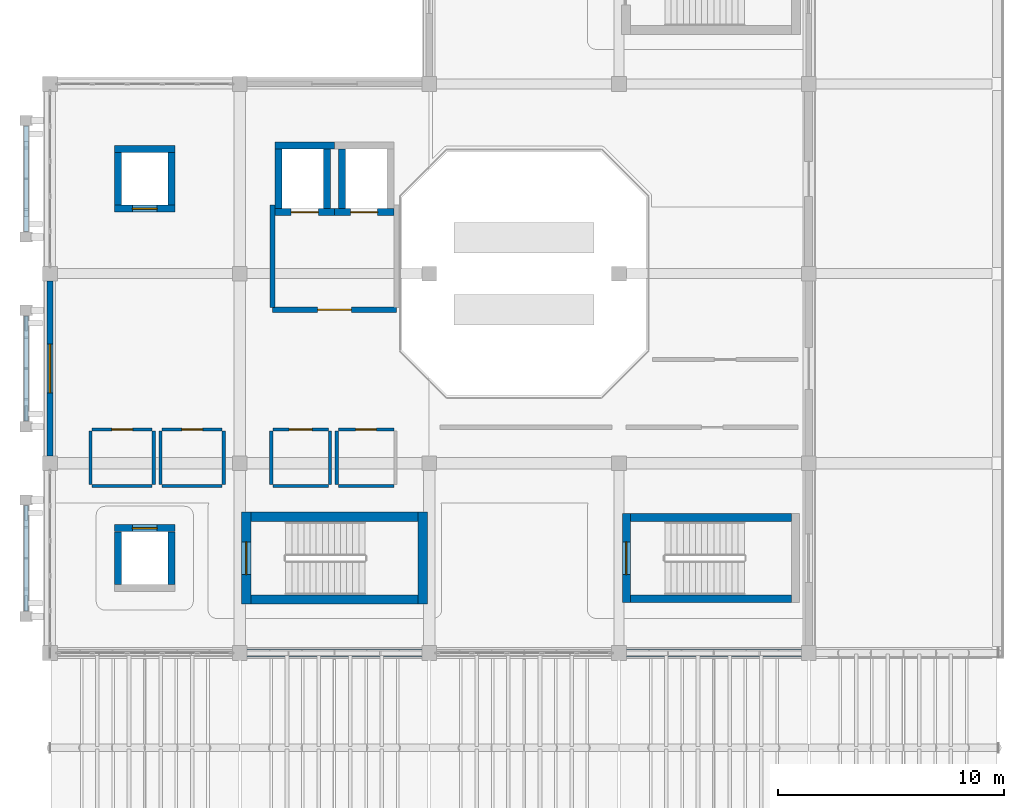
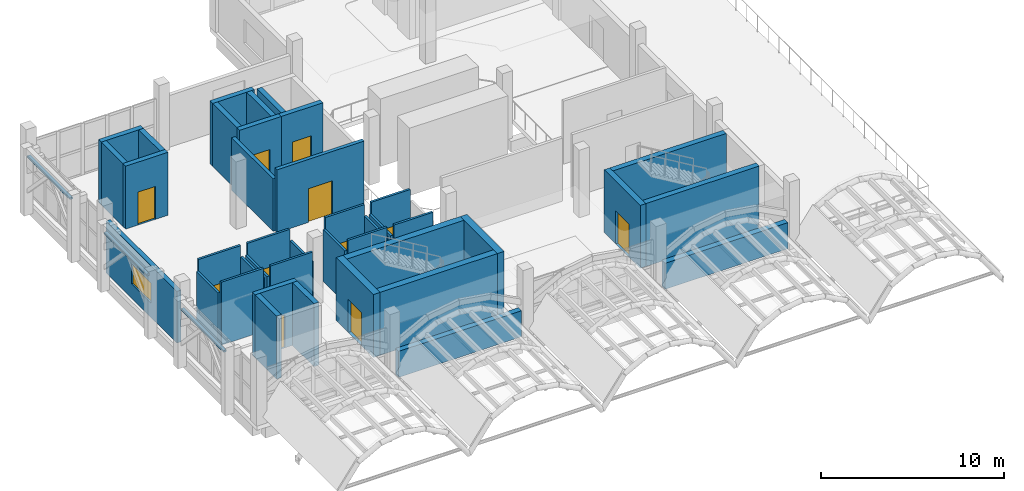
# One storey, part 16 of 22: 43 walls, 11 doors, 1 window, 12 openings.
"""IFC4 building model written with IfcOpenShell, lengths in metres."""

from ifc_helpers import new_model, si_unit, direction, frame, frame_2d, origin, place, context, subcontext, project, spatial, rectangle, extrude, material, layer, layer_set, type_object, element, fill, save


model = new_model("IFC4")

# Units and contexts
model_context = context("Model", 3, precision=1e-05, world=origin(), true_north=direction((0.0, 1.0)))
body_context = subcontext(model_context, "Body", "Model", "MODEL_VIEW")
ifc_project = project(units=[si_unit("LENGTHUNIT", "METRE"), si_unit("AREAUNIT", "SQUARE_METRE"), si_unit("VOLUMEUNIT", "CUBIC_METRE"), si_unit("PLANEANGLEUNIT", "RADIAN"), si_unit("MASSUNIT", "GRAM", prefix="KILO")], contexts=[model_context])

# Site, building, storey
site_placement = place(None, origin())
site = spatial("IfcSite", under=ifc_project, at=site_placement, CompositionType="ELEMENT")
building_placement = place(site_placement, origin())
building = spatial("IfcBuilding", under=site, at=building_placement, Name="Xazarin Passage Department Store", CompositionType="ELEMENT")
storey_placement = place(building_placement, frame((0.0, 0.0, 27.89990234375)))
storey = spatial("IfcBuildingStorey", under=building, at=storey_placement, Name="L06", CompositionType="ELEMENT", Elevation=27.89990234375)

# Wall, opening, window
ifc_material_1 = material(Name="Precast concrete C40/50", Category="concrete")
ifc_layer_1 = layer(ifc_material_1, 0.280029296875)
ifc_layer_set_1 = layer_set([ifc_layer_1], Name="Precast concrete C40/50")
wall_type_1 = type_object("IfcWallType", Name="ARC-W-EXT280", PredefinedType="SOLIDWALL", material=ifc_layer_set_1)
wall_1_placement = place(storey_placement, frame((0.0, 85.125, 0.0), z_axis=(0.0, 0.0, 1.0), x_axis=(0.0, 1.0, 0.0)))
wall_1 = element("IfcWall", 1, at=wall_1_placement, inside=storey, type_object=wall_type_1, Name="L06 V1 Exterior Wall 073", PredefinedType="SOLIDWALL", context=body_context, shape_type="SweptSolid", body=[
    extrude(rectangle(XDim=7.75, YDim=0.280029296875, at=frame_2d((3.875, 0.0))), origin(), (0.0, 0.0, 1.0), 3.4501953125),
])
opening_1_placement = place(wall_1_placement, frame((2.800048828125, 0.0, 0.949951171875)))
opening_1 = element("IfcOpeningElement", 2, at=opening_1_placement, cuts=wall_1, Name="Opening W33", PredefinedType="OPENING", context=body_context, shape_type="SweptSolid", body=[
    extrude(rectangle(XDim=2.14990234375, YDim=1.35009765625, at=frame_2d((1.074951171875, 0.675048828125))), frame((0.0, 0.14990234375, 0.0), z_axis=(0.0, -1.0, 0.0), x_axis=(1.0, 0.0, 0.0)), (0.0, 0.0, 1.0), 0.300048828125),
])
ifc_material_2 = material(Name="Low-E laminated safety glass", Category="glass")
window_type = type_object("IfcWindowType", Name="ARC-WIN-W33", PartitioningType="DOUBLE_PANEL_VERTICAL", PredefinedType="WINDOW", material=ifc_material_2)
window_placement = place(opening_1_placement, origin())
window = element("IfcWindow", 3, at=window_placement, inside=storey, type_object=window_type, Name="L06 V1 Facade Window 0033", OverallHeight=1.35009765625, OverallWidth=2.14990234375, PartitioningType="DOUBLE_PANEL_VERTICAL", PredefinedType="WINDOW", context=body_context, shape_type="SweptSolid", body=[
    extrude(rectangle(XDim=2.14990234375, YDim=1.35009765625, at=frame_2d((1.074951171875, 0.675048828125))), frame((0.0, 0.030029296875, 0.0), z_axis=(0.0, -1.0, 0.0), x_axis=(1.0, 0.0, 0.0)), (0.0, 0.0, 1.0), 0.06005859375),
])
fill(opening_1, window)

# Walls
ifc_material_3 = material(Name="Absheron limestone cladding", Category="masonry")
ifc_layer_2 = layer(ifc_material_3, 0.340087890625)
ifc_layer_set_2 = layer_set([ifc_layer_2], Name="Absheron limestone cladding")
wall_type_2 = type_object("IfcWallType", Name="ARC-W-EXT340", PredefinedType="SOLIDWALL", material=ifc_layer_set_2)
wall_2_placement = place(storey_placement, frame((8.72509765625, 76.39990234375, 0.0), z_axis=(0.0, 0.0, 1.0), x_axis=(1.0, 0.0, 0.0)))
element("IfcWall", 4, at=wall_2_placement, inside=storey, type_object=wall_type_2, Name="L06 V1 Exterior Wall 069", PredefinedType="SOLIDWALL", context=body_context, shape_type="SweptSolid", body=[
    extrude(rectangle(XDim=7.75, YDim=0.340087890625, at=frame_2d((3.875, 0.0))), origin(), (0.0, 0.0, 1.0), 1.739990234375),
])
ifc_layer_3 = layer(ifc_material_3, 0.360107421875)
ifc_layer_set_3 = layer_set([ifc_layer_3], Name="Absheron limestone cladding")
wall_type_3 = type_object("IfcWallType", Name="ARC-W-EXT360", PredefinedType="SOLIDWALL", material=ifc_layer_set_3)
wall_3_placement = place(storey_placement, frame((25.52490234375, 76.39990234375, 0.0), z_axis=(0.0, 0.0, 1.0), x_axis=(1.0, 0.0, 0.0)))
element("IfcWall", 5, at=wall_3_placement, inside=storey, type_object=wall_type_3, Name="L06 V1 Exterior Wall 070", PredefinedType="SOLIDWALL", context=body_context, shape_type="SweptSolid", body=[
    extrude(rectangle(XDim=7.75, YDim=0.360107421875, at=frame_2d((3.875, 0.0))), origin(), (0.0, 0.0, 1.0), 1.739990234375),
])

# Wall, opening, door
ifc_material_4 = material(Name="Concrete C35/45", Category="concrete")
ifc_layer_4 = layer(ifc_material_4, 0.22509765625)
ifc_layer_set_4 = layer_set([ifc_layer_4], Name="Concrete C35/45")
wall_type_4 = type_object("IfcWallType", Name="ARC-W-FIR225", PredefinedType="PARTITIONING", material=ifc_layer_set_4)
wall_4_placement = place(storey_placement, frame((9.85009765625, 91.60009765625, 0.0), z_axis=(0.0, 0.0, 1.0), x_axis=(1.0, 0.0, 0.0)))
wall_4 = element("IfcWall", 6, at=wall_4_placement, inside=storey, type_object=wall_type_4, Name="L06 Firefighting Lift Lobby South Wall 0022", PredefinedType="PARTITIONING", context=body_context, shape_type="SweptSolid", body=[
    extrude(rectangle(XDim=5.5, YDim=0.22509765625, at=frame_2d((2.75, 0.0))), origin(), (0.0, 0.0, 1.0), 4.2001953125),
])
opening_2_placement = place(wall_4_placement, frame((2.0, 0.0, 0.0)))
opening_2 = element("IfcOpeningElement", 7, at=opening_2_placement, cuts=wall_4, Name="Opening FD3", PredefinedType="OPENING", context=body_context, shape_type="SweptSolid", body=[
    extrude(rectangle(XDim=1.5, YDim=2.25, at=frame_2d((0.75, 1.125))), frame((0.0, 0.12255859375, 0.0), z_axis=(0.0, -1.0, 0.0), x_axis=(1.0, 0.0, 0.0)), (0.0, 0.0, 1.0), 0.2451171875),
])
ifc_material_5 = material(Name="Steel S355", Category="steel")
door_type_1 = type_object("IfcDoorType", Name="ARC-DR-FFL150", OperationType="NOTDEFINED", PredefinedType="DOOR", material=ifc_material_5)
door_1_placement = place(opening_2_placement, origin())
door_1 = element("IfcDoor", 8, at=door_1_placement, inside=storey, type_object=door_type_1, Name="DR-INT-L06-0022", OperationType="SINGLE_SWING_LEFT", OverallHeight=2.25, OverallWidth=1.5, PredefinedType="DOOR", context=body_context, shape_type="SweptSolid", body=[
    extrude(rectangle(XDim=1.5, YDim=2.25, at=frame_2d((0.75, 1.125))), frame((0.0, 0.02490234375, 0.0), z_axis=(0.0, -1.0, 0.0), x_axis=(1.0, 0.0, 0.0)), (0.0, 0.0, 1.0), 0.050048828125),
])
fill(opening_2, door_1)

# Walls
wall_5_placement = place(storey_placement, frame((9.85009765625, 91.7099609375, 0.0), z_axis=(0.0, 0.0, 1.0), x_axis=(0.0, 1.0, 0.0)))
element("IfcWall", 9, at=wall_5_placement, inside=storey, type_object=wall_type_4, Name="L06 Firefighting Lift Lobby West Wall 0023", PredefinedType="PARTITIONING", context=body_context, shape_type="SweptSolid", body=[
    extrude(rectangle(XDim=4.530029296875, YDim=0.22509765625, at=frame_2d((2.26513671875, 0.0))), origin(), (0.0, 0.0, 1.0), 3.5),
])
ifc_layer_5 = layer(ifc_material_1, 0.18994140625)
ifc_layer_set_5 = layer_set([ifc_layer_5], Name="Precast concrete C40/50")
wall_type_5 = type_object("IfcWallType", Name="ARC-W-PAR190", PredefinedType="PARAPET", material=ifc_layer_set_5)
wall_6_placement = place(storey_placement, frame((-1.050048828125, 78.27001953125, 3.880126953125), z_axis=(0.0, 0.0, 1.0), x_axis=(0.0, 1.0, 0.0)))
element("IfcWall", 10, at=wall_6_placement, inside=storey, type_object=wall_type_5, Name="L06 V1 Pierced-Arch Spandrel Lintel 0053", PredefinedType="PARAPET", context=body_context, shape_type="SweptSolid", body=[
    extrude(rectangle(XDim=4.659912109375, YDim=0.18994140625, at=frame_2d((2.330078125, 0.0))), origin(), (0.0, 0.0, 1.0), 0.119873046875),
])
wall_7_placement = place(storey_placement, frame((-1.050048828125, 86.669921875, 3.880126953125), z_axis=(0.0, 0.0, 1.0), x_axis=(0.0, 1.0, 0.0)))
element("IfcWall", 11, at=wall_7_placement, inside=storey, type_object=wall_type_5, Name="L06 V1 Pierced-Arch Spandrel Lintel 0061", PredefinedType="PARAPET", context=body_context, shape_type="SweptSolid", body=[
    extrude(rectangle(XDim=4.66015625, YDim=0.18994140625, at=frame_2d((2.330078125, 0.0))), origin(), (0.0, 0.0, 1.0), 0.119873046875),
])
wall_8_placement = place(storey_placement, frame((-1.050048828125, 95.070068359375, 3.880126953125), z_axis=(0.0, 0.0, 1.0), x_axis=(0.0, 1.0, 0.0)))
element("IfcWall", 12, at=wall_8_placement, inside=storey, type_object=wall_type_5, Name="L06 V1 Pierced-Arch Spandrel Lintel 0069", PredefinedType="PARAPET", context=body_context, shape_type="SweptSolid", body=[
    extrude(rectangle(XDim=4.659912109375, YDim=0.18994140625, at=frame_2d((2.330078125, 0.0))), origin(), (0.0, 0.0, 1.0), 0.119873046875),
])

# Wall, opening, door
ifc_material_6 = material(Name="Moisture-resistant masonry partition", Category="masonry")
ifc_layer_6 = layer(ifc_material_6, 0.139892578125)
ifc_layer_set_6 = layer_set([ifc_layer_6], Name="Moisture-resistant masonry partition")
wall_type_6 = type_object("IfcWallType", Name="ARC-W-PRT140", PredefinedType="PARTITIONING", material=ifc_layer_set_6)
wall_9_placement = place(storey_placement, frame((1.8701171875, 86.300048828125, 0.0), z_axis=(0.0, 0.0, 1.0), x_axis=(1.0, 0.0, 0.0)))
wall_9 = element("IfcWall", 13, at=wall_9_placement, inside=storey, type_object=wall_type_6, Name="L06 Public Male WC 0272", PredefinedType="PARTITIONING", context=body_context, shape_type="SweptSolid", body=[
    extrude(rectangle(XDim=2.659912109375, YDim=0.139892578125, at=frame_2d((1.330078125, 0.0))), origin(), (0.0, 0.0, 1.0), 4.2001953125),
])
opening_3_placement = place(wall_9_placement, frame((0.8701171875, 0.0, 0.0)))
opening_3 = element("IfcOpeningElement", 14, at=opening_3_placement, cuts=wall_9, Name="Opening ID1", PredefinedType="OPENING", context=body_context, shape_type="SweptSolid", body=[
    extrude(rectangle(XDim=0.919921875, YDim=2.1201171875, at=frame_2d((0.4599609375, 1.06005859375))), frame((0.0, 0.079833984375, 0.0), z_axis=(0.0, -1.0, 0.0), x_axis=(1.0, 0.0, 0.0)), (0.0, 0.0, 1.0), 0.159912109375),
])
ifc_material_7 = material(Name="Timber acoustic leaf", Category="wood")
door_type_2 = type_object("IfcDoorType", Name="ARC-DR-WC092", OperationType="NOTDEFINED", PredefinedType="DOOR", material=ifc_material_7)
door_2_placement = place(opening_3_placement, origin())
door_2 = element("IfcDoor", 15, at=door_2_placement, inside=storey, type_object=door_type_2, Name="DR-INT-L06-0272", OperationType="SINGLE_SWING_LEFT", OverallHeight=2.1201171875, OverallWidth=0.919921875, PredefinedType="DOOR", context=body_context, shape_type="SweptSolid", body=[
    extrude(rectangle(XDim=0.919921875, YDim=2.1201171875, at=frame_2d((0.4599609375, 1.06005859375))), frame((0.0, 0.02490234375, 0.0), z_axis=(0.0, -1.0, 0.0), x_axis=(1.0, 0.0, 0.0)), (0.0, 0.0, 1.0), 0.050048828125),
])
fill(opening_3, door_2)

# Walls
wall_10_placement = place(storey_placement, frame((1.8701171875, 83.800048828125, 0.0), z_axis=(0.0, 0.0, 1.0), x_axis=(1.0, 0.0, 0.0)))
element("IfcWall", 16, at=wall_10_placement, inside=storey, type_object=wall_type_6, Name="L06 Public Male WC Back Wall 0273", PredefinedType="PARTITIONING", context=body_context, shape_type="SweptSolid", body=[
    extrude(rectangle(XDim=2.659912109375, YDim=0.139892578125, at=frame_2d((1.330078125, 0.0))), origin(), (0.0, 0.0, 1.0), 4.2001953125),
])
for number, where, z_axis, x_axis, name in (
    (17, (1.800048828125, 83.8701171875, 0.0), (0.0, 0.0, 1.0), (0.0, 1.0, 0.0), "L06 Public Male WC Side Wall 0274"),
    (18, (4.60009765625, 83.8701171875, 0.0), (0.0, 0.0, 1.0), (0.0, 1.0, 0.0), "L06 Public Male WC Side Wall 0275"),
):
    element("IfcWall", number, at=place(storey_placement, frame(where, z_axis=z_axis, x_axis=x_axis)), inside=storey, type_object=wall_type_6, Name=name, PredefinedType="PARTITIONING", context=body_context, shape_type="SweptSolid", body=[
        extrude(rectangle(XDim=2.35986328125, YDim=0.139892578125, at=frame_2d((1.179931640625, 0.0))), origin(), (0.0, 0.0, 1.0), 3.4501953125),
    ])

# Wall, opening, door
wall_11_placement = place(storey_placement, frame((4.969970703125, 86.300048828125, 0.0), z_axis=(0.0, 0.0, 1.0), x_axis=(1.0, 0.0, 0.0)))
wall_11 = element("IfcWall", 19, at=wall_11_placement, inside=storey, type_object=wall_type_6, Name="L06 Public Female WC 0276", PredefinedType="PARTITIONING", context=body_context, shape_type="SweptSolid", body=[
    extrude(rectangle(XDim=2.659912109375, YDim=0.139892578125, at=frame_2d((1.330078125, 0.0))), origin(), (0.0, 0.0, 1.0), 4.2001953125),
])
opening_4_placement = place(wall_11_placement, frame((0.8701171875, 0.0, 0.0)))
opening_4 = element("IfcOpeningElement", 20, at=opening_4_placement, cuts=wall_11, Name="Opening ID1", PredefinedType="OPENING", context=body_context, shape_type="SweptSolid", body=[
    extrude(rectangle(XDim=0.919921875, YDim=2.1201171875, at=frame_2d((0.4599609375, 1.06005859375))), frame((0.0, 0.079833984375, 0.0), z_axis=(0.0, -1.0, 0.0), x_axis=(1.0, 0.0, 0.0)), (0.0, 0.0, 1.0), 0.159912109375),
])
door_3_placement = place(opening_4_placement, origin())
door_3 = element("IfcDoor", 21, at=door_3_placement, inside=storey, type_object=door_type_2, Name="DR-INT-L06-0276", OperationType="SINGLE_SWING_RIGHT", OverallHeight=2.1201171875, OverallWidth=0.919921875, PredefinedType="DOOR", context=body_context, shape_type="SweptSolid", body=[
    extrude(rectangle(XDim=0.919921875, YDim=2.1201171875, at=frame_2d((0.4599609375, 1.06005859375))), frame((0.0, 0.02490234375, 0.0), z_axis=(0.0, -1.0, 0.0), x_axis=(1.0, 0.0, 0.0)), (0.0, 0.0, 1.0), 0.050048828125),
])
fill(opening_4, door_3)

# Walls
wall_12_placement = place(storey_placement, frame((4.969970703125, 83.800048828125, 0.0), z_axis=(0.0, 0.0, 1.0), x_axis=(1.0, 0.0, 0.0)))
element("IfcWall", 22, at=wall_12_placement, inside=storey, type_object=wall_type_6, Name="L06 Public Female WC Back Wall 0277", PredefinedType="PARTITIONING", context=body_context, shape_type="SweptSolid", body=[
    extrude(rectangle(XDim=2.659912109375, YDim=0.139892578125, at=frame_2d((1.330078125, 0.0))), origin(), (0.0, 0.0, 1.0), 4.2001953125),
])
for number, where, z_axis, x_axis, name in (
    (23, (4.89990234375, 83.8701171875, 0.0), (0.0, 0.0, 1.0), (0.0, 1.0, 0.0), "L06 Public Female WC Side Wall 0278"),
    (24, (7.699951171875, 83.8701171875, 0.0), (0.0, 0.0, 1.0), (0.0, 1.0, 0.0), "L06 Public Female WC Side Wall 0279"),
):
    element("IfcWall", number, at=place(storey_placement, frame(where, z_axis=z_axis, x_axis=x_axis)), inside=storey, type_object=wall_type_6, Name=name, PredefinedType="PARTITIONING", context=body_context, shape_type="SweptSolid", body=[
        extrude(rectangle(XDim=2.35986328125, YDim=0.139892578125, at=frame_2d((1.179931640625, 0.0))), origin(), (0.0, 0.0, 1.0), 3.4501953125),
    ])

# Wall, opening, door
wall_13_placement = place(storey_placement, frame((9.8701171875, 86.300048828125, 0.0), z_axis=(0.0, 0.0, 1.0), x_axis=(1.0, 0.0, 0.0)))
wall_13 = element("IfcWall", 25, at=wall_13_placement, inside=storey, type_object=wall_type_6, Name="L06 Accessible WC 0280", PredefinedType="PARTITIONING", context=body_context, shape_type="SweptSolid", body=[
    extrude(rectangle(XDim=2.4599609375, YDim=0.139892578125, at=frame_2d((1.22998046875, 0.0))), origin(), (0.0, 0.0, 1.0), 4.2001953125),
])
opening_5_placement = place(wall_13_placement, frame((0.719970703125, 0.0, 0.0)))
opening_5 = element("IfcOpeningElement", 26, at=opening_5_placement, cuts=wall_13, Name="Opening ID2", PredefinedType="OPENING", context=body_context, shape_type="SweptSolid", body=[
    extrude(rectangle(XDim=1.02001953125, YDim=2.14990234375, at=frame_2d((0.510009765625, 1.074951171875))), frame((0.0, 0.079833984375, 0.0), z_axis=(0.0, -1.0, 0.0), x_axis=(1.0, 0.0, 0.0)), (0.0, 0.0, 1.0), 0.159912109375),
])
door_type_3 = type_object("IfcDoorType", Name="ARC-DR-AWC102", OperationType="NOTDEFINED", PredefinedType="DOOR", material=ifc_material_7)
door_4_placement = place(opening_5_placement, origin())
door_4 = element("IfcDoor", 27, at=door_4_placement, inside=storey, type_object=door_type_3, Name="DR-INT-L06-0280", OperationType="SINGLE_SWING_LEFT", OverallHeight=2.14990234375, OverallWidth=1.02001953125, PredefinedType="DOOR", context=body_context, shape_type="SweptSolid", body=[
    extrude(rectangle(XDim=1.02001953125, YDim=2.14990234375, at=frame_2d((0.510009765625, 1.074951171875))), frame((0.0, 0.02490234375, 0.0), z_axis=(0.0, -1.0, 0.0), x_axis=(1.0, 0.0, 0.0)), (0.0, 0.0, 1.0), 0.050048828125),
])
fill(opening_5, door_4)

# Walls
wall_14_placement = place(storey_placement, frame((9.8701171875, 83.800048828125, 0.0), z_axis=(0.0, 0.0, 1.0), x_axis=(1.0, 0.0, 0.0)))
element("IfcWall", 28, at=wall_14_placement, inside=storey, type_object=wall_type_6, Name="L06 Accessible WC Back Wall 0281", PredefinedType="PARTITIONING", context=body_context, shape_type="SweptSolid", body=[
    extrude(rectangle(XDim=2.4599609375, YDim=0.139892578125, at=frame_2d((1.22998046875, 0.0))), origin(), (0.0, 0.0, 1.0), 4.2001953125),
])
for number, where, z_axis, x_axis, name in (
    (29, (9.800048828125, 83.8701171875, 0.0), (0.0, 0.0, 1.0), (0.0, 1.0, 0.0), "L06 Accessible WC Side Wall 0282"),
    (30, (12.39990234375, 83.8701171875, 0.0), (0.0, 0.0, 1.0), (0.0, 1.0, 0.0), "L06 Accessible WC Side Wall 0283"),
):
    element("IfcWall", number, at=place(storey_placement, frame(where, z_axis=z_axis, x_axis=x_axis)), inside=storey, type_object=wall_type_6, Name=name, PredefinedType="PARTITIONING", context=body_context, shape_type="SweptSolid", body=[
        extrude(rectangle(XDim=2.35986328125, YDim=0.139892578125, at=frame_2d((1.179931640625, 0.0))), origin(), (0.0, 0.0, 1.0), 3.4501953125),
    ])

# Wall, opening, door
wall_15_placement = place(storey_placement, frame((12.77001953125, 86.300048828125, 0.0), z_axis=(0.0, 0.0, 1.0), x_axis=(1.0, 0.0, 0.0)))
wall_15 = element("IfcWall", 31, at=wall_15_placement, inside=storey, type_object=wall_type_6, Name="L06 Staff WC 0284", PredefinedType="PARTITIONING", context=body_context, shape_type="SweptSolid", body=[
    extrude(rectangle(XDim=2.4599609375, YDim=0.139892578125, at=frame_2d((1.22998046875, 0.0))), origin(), (0.0, 0.0, 1.0), 4.2001953125),
])
opening_6_placement = place(wall_15_placement, frame((0.77001953125, 0.0, 0.0)))
opening_6 = element("IfcOpeningElement", 32, at=opening_6_placement, cuts=wall_15, Name="Opening ID1", PredefinedType="OPENING", context=body_context, shape_type="SweptSolid", body=[
    extrude(rectangle(XDim=0.919921875, YDim=2.1201171875, at=frame_2d((0.4599609375, 1.06005859375))), frame((0.0, 0.079833984375, 0.0), z_axis=(0.0, -1.0, 0.0), x_axis=(1.0, 0.0, 0.0)), (0.0, 0.0, 1.0), 0.159912109375),
])
door_5_placement = place(opening_6_placement, origin())
door_5 = element("IfcDoor", 33, at=door_5_placement, inside=storey, type_object=door_type_2, Name="DR-INT-L06-0284", OperationType="SINGLE_SWING_RIGHT", OverallHeight=2.1201171875, OverallWidth=0.919921875, PredefinedType="DOOR", context=body_context, shape_type="SweptSolid", body=[
    extrude(rectangle(XDim=0.919921875, YDim=2.1201171875, at=frame_2d((0.4599609375, 1.06005859375))), frame((0.0, 0.02490234375, 0.0), z_axis=(0.0, -1.0, 0.0), x_axis=(1.0, 0.0, 0.0)), (0.0, 0.0, 1.0), 0.050048828125),
])
fill(opening_6, door_5)

# Walls
wall_16_placement = place(storey_placement, frame((12.77001953125, 83.800048828125, 0.0), z_axis=(0.0, 0.0, 1.0), x_axis=(1.0, 0.0, 0.0)))
element("IfcWall", 34, at=wall_16_placement, inside=storey, type_object=wall_type_6, Name="L06 Staff WC Back Wall 0285", PredefinedType="PARTITIONING", context=body_context, shape_type="SweptSolid", body=[
    extrude(rectangle(XDim=2.4599609375, YDim=0.139892578125, at=frame_2d((1.22998046875, 0.0))), origin(), (0.0, 0.0, 1.0), 4.2001953125),
])
wall_17_placement = place(storey_placement, frame((12.699951171875, 83.8701171875, 0.0), z_axis=(0.0, 0.0, 1.0), x_axis=(0.0, 1.0, 0.0)))
element("IfcWall", 35, at=wall_17_placement, inside=storey, type_object=wall_type_6, Name="L06 Staff WC Side Wall 0286", PredefinedType="PARTITIONING", context=body_context, shape_type="SweptSolid", body=[
    extrude(rectangle(XDim=2.35986328125, YDim=0.139892578125, at=frame_2d((1.179931640625, 0.0))), origin(), (0.0, 0.0, 1.0), 3.4501953125),
])

# Wall, opening, door
ifc_material_8 = material(Name="Concrete C40/50", Category="concrete")
ifc_layer_7 = layer(ifc_material_8, 0.31005859375)
ifc_layer_set_7 = layer_set([ifc_layer_7], Name="Concrete C40/50")
wall_type_7 = type_object("IfcWallType", Name="STR-W-LFT310", PredefinedType="SHEAR", material=ifc_layer_set_7)
wall_18_placement = place(storey_placement, frame((9.969970703125, 95.925048828125, 0.0), z_axis=(0.0, 0.0, 1.0), x_axis=(1.0, 0.0, 0.0)))
wall_18 = element("IfcWall", 36, at=wall_18_placement, inside=storey, type_object=wall_type_7, Name="L06 Lift FL1 Shaft Wall South", PredefinedType="SHEAR", context=body_context, shape_type="SweptSolid", body=[
    extrude(rectangle(XDim=2.630126953125, YDim=0.31005859375, at=frame_2d((1.31494140625, 0.0))), origin(), (0.0, 0.0, 1.0), 4.2001953125),
])
opening_7_placement = place(wall_18_placement, frame((0.715087890625, 0.0, 0.0)))
opening_7 = element("IfcOpeningElement", 37, at=opening_7_placement, cuts=wall_18, Name="Opening LD-FL1-L06", PredefinedType="OPENING", context=body_context, shape_type="SweptSolid", body=[
    extrude(rectangle(XDim=1.199951171875, YDim=2.25, at=frame_2d((0.60009765625, 1.125))), frame((0.0, 0.1650390625, 0.0), z_axis=(0.0, -1.0, 0.0), x_axis=(1.0, 0.0, 0.0)), (0.0, 0.0, 1.0), 0.330078125),
])
door_type_4 = type_object("IfcDoorType", Name="ARC-DR-LD120", OperationType="NOTDEFINED", PredefinedType="DOOR", material=ifc_material_5)
door_6_placement = place(opening_7_placement, origin())
door_6 = element("IfcDoor", 38, at=door_6_placement, inside=storey, type_object=door_type_4, Name="DR-LD-FL1-L06", OperationType="SLIDING_TO_LEFT", OverallHeight=2.25, OverallWidth=1.199951171875, PredefinedType="DOOR", context=body_context, shape_type="SweptSolid", body=[
    extrude(rectangle(XDim=1.199951171875, YDim=2.25, at=frame_2d((0.60009765625, 1.125))), frame((0.0, 0.02490234375, 0.0), z_axis=(0.0, -1.0, 0.0), x_axis=(1.0, 0.0, 0.0)), (0.0, 0.0, 1.0), 0.050048828125),
])
fill(opening_7, door_6)

# Walls
wall_19_placement = place(storey_placement, frame((9.969970703125, 98.875, 0.0), z_axis=(0.0, 0.0, 1.0), x_axis=(1.0, 0.0, 0.0)))
element("IfcWall", 39, at=wall_19_placement, inside=storey, type_object=wall_type_7, Name="L06 Lift FL1 Shaft Wall North", PredefinedType="SHEAR", context=body_context, shape_type="SweptSolid", body=[
    extrude(rectangle(XDim=2.630126953125, YDim=0.31005859375, at=frame_2d((1.31494140625, 0.0))), origin(), (0.0, 0.0, 1.0), 4.2001953125),
])
for number, where, z_axis, x_axis, name in (
    (40, (10.125, 96.080078125, 0.0), (0.0, 0.0, 1.0), (0.0, 1.0, 0.0), "L06 Lift FL1 Shaft Wall West"),
    (41, (12.27490234375, 96.080078125, 0.0), (0.0, 0.0, 1.0), (0.0, 1.0, 0.0), "L06 Lift FL1 Shaft Wall East"),
):
    element("IfcWall", number, at=place(storey_placement, frame(where, z_axis=z_axis, x_axis=x_axis)), inside=storey, type_object=wall_type_7, Name=name, PredefinedType="SHEAR", context=body_context, shape_type="SweptSolid", body=[
        extrude(rectangle(XDim=2.639892578125, YDim=0.31005859375, at=frame_2d((1.31982421875, 0.0))), origin(), (0.0, 0.0, 1.0), 4.2001953125),
    ])

# Wall, opening, door
wall_20_placement = place(storey_placement, frame((12.60009765625, 95.925048828125, 0.0), z_axis=(0.0, 0.0, 1.0), x_axis=(1.0, 0.0, 0.0)))
wall_20 = element("IfcWall", 42, at=wall_20_placement, inside=storey, type_object=wall_type_7, Name="L06 Lift FL2 Shaft Wall South", PredefinedType="SHEAR", context=body_context, shape_type="SweptSolid", body=[
    extrude(rectangle(XDim=2.6298828125, YDim=0.31005859375, at=frame_2d((1.31494140625, 0.0))), origin(), (0.0, 0.0, 1.0), 4.2001953125),
])
opening_8_placement = place(wall_20_placement, frame((0.715087890625, 0.0, 0.0)))
opening_8 = element("IfcOpeningElement", 43, at=opening_8_placement, cuts=wall_20, Name="Opening LD-FL2-L06", PredefinedType="OPENING", context=body_context, shape_type="SweptSolid", body=[
    extrude(rectangle(XDim=1.199951171875, YDim=2.25, at=frame_2d((0.60009765625, 1.125))), frame((0.0, 0.1650390625, 0.0), z_axis=(0.0, -1.0, 0.0), x_axis=(1.0, 0.0, 0.0)), (0.0, 0.0, 1.0), 0.330078125),
])
door_7_placement = place(opening_8_placement, origin())
door_7 = element("IfcDoor", 44, at=door_7_placement, inside=storey, type_object=door_type_4, Name="DR-LD-FL2-L06", OperationType="SLIDING_TO_LEFT", OverallHeight=2.25, OverallWidth=1.199951171875, PredefinedType="DOOR", context=body_context, shape_type="SweptSolid", body=[
    extrude(rectangle(XDim=1.199951171875, YDim=2.25, at=frame_2d((0.60009765625, 1.125))), frame((0.0, 0.02490234375, 0.0), z_axis=(0.0, -1.0, 0.0), x_axis=(1.0, 0.0, 0.0)), (0.0, 0.0, 1.0), 0.050048828125),
])
fill(opening_8, door_7)

# Wall
wall_21_placement = place(storey_placement, frame((12.925048828125, 96.080078125, 0.0), z_axis=(0.0, 0.0, 1.0), x_axis=(0.0, 1.0, 0.0)))
element("IfcWall", 45, at=wall_21_placement, inside=storey, type_object=wall_type_7, Name="L06 Lift FL2 Shaft Wall West", PredefinedType="SHEAR", context=body_context, shape_type="SweptSolid", body=[
    extrude(rectangle(XDim=2.639892578125, YDim=0.31005859375, at=frame_2d((1.31982421875, 0.0))), origin(), (0.0, 0.0, 1.0), 4.2001953125),
])

# Wall, opening, door
wall_22_placement = place(storey_placement, frame((2.8701171875, 81.925048828125, 0.0), z_axis=(0.0, 0.0, 1.0), x_axis=(1.0, 0.0, 0.0)))
wall_22 = element("IfcWall", 46, at=wall_22_placement, inside=storey, type_object=wall_type_7, Name="L06 Lift PL1 Shaft Wall North", PredefinedType="SHEAR", context=body_context, shape_type="SweptSolid", body=[
    extrude(rectangle(XDim=2.659912109375, YDim=0.31005859375, at=frame_2d((1.330078125, 0.0))), origin(), (0.0, 0.0, 1.0), 4.2001953125),
])
opening_9_placement = place(wall_22_placement, frame((0.780029296875, 0.0, 0.0)))
opening_9 = element("IfcOpeningElement", 47, at=opening_9_placement, cuts=wall_22, Name="Opening LD-PL1-L06", PredefinedType="OPENING", context=body_context, shape_type="SweptSolid", body=[
    extrude(rectangle(XDim=1.10009765625, YDim=2.199951171875, at=frame_2d((0.550048828125, 1.10009765625))), frame((0.0, 0.1650390625, 0.0), z_axis=(0.0, -1.0, 0.0), x_axis=(1.0, 0.0, 0.0)), (0.0, 0.0, 1.0), 0.330078125),
])
door_type_5 = type_object("IfcDoorType", Name="ARC-DR-LD110", OperationType="NOTDEFINED", PredefinedType="DOOR", material=ifc_material_5)
door_8_placement = place(opening_9_placement, origin())
door_8 = element("IfcDoor", 48, at=door_8_placement, inside=storey, type_object=door_type_5, Name="DR-LD-PL1-L06", OperationType="SLIDING_TO_LEFT", OverallHeight=2.199951171875, OverallWidth=1.10009765625, PredefinedType="DOOR", context=body_context, shape_type="SweptSolid", body=[
    extrude(rectangle(XDim=1.10009765625, YDim=2.199951171875, at=frame_2d((0.550048828125, 1.10009765625))), frame((0.0, 0.02490234375, 0.0), z_axis=(0.0, -1.0, 0.0), x_axis=(1.0, 0.0, 0.0)), (0.0, 0.0, 1.0), 0.050048828125),
])
fill(opening_9, door_8)

# Walls
for number, where, z_axis, x_axis, name in (
    (49, (3.02490234375, 79.429931640625, 0.0), (0.0, 0.0, 1.0), (0.0, 1.0, 0.0), "L06 Lift PL1 Shaft Wall West"),
    (50, (5.375, 79.429931640625, 0.0), (0.0, 0.0, 1.0), (0.0, 1.0, 0.0), "L06 Lift PL1 Shaft Wall East"),
):
    element("IfcWall", number, at=place(storey_placement, frame(where, z_axis=z_axis, x_axis=x_axis)), inside=storey, type_object=wall_type_7, Name=name, PredefinedType="SHEAR", context=body_context, shape_type="SweptSolid", body=[
        extrude(rectangle(XDim=2.340087890625, YDim=0.31005859375, at=frame_2d((1.169921875, 0.0))), origin(), (0.0, 0.0, 1.0), 4.2001953125),
    ])

# Wall, opening, door
wall_23_placement = place(storey_placement, frame((2.8701171875, 96.074951171875, 0.0), z_axis=(0.0, 0.0, 1.0), x_axis=(1.0, 0.0, 0.0)))
wall_23 = element("IfcWall", 51, at=wall_23_placement, inside=storey, type_object=wall_type_7, Name="L06 Lift PL2 Shaft Wall South", PredefinedType="SHEAR", context=body_context, shape_type="SweptSolid", body=[
    extrude(rectangle(XDim=2.659912109375, YDim=0.31005859375, at=frame_2d((1.330078125, 0.0))), origin(), (0.0, 0.0, 1.0), 4.2001953125),
])
opening_10_placement = place(wall_23_placement, frame((0.780029296875, 0.0, 0.0)))
opening_10 = element("IfcOpeningElement", 52, at=opening_10_placement, cuts=wall_23, Name="Opening LD-PL2-L06", PredefinedType="OPENING", context=body_context, shape_type="SweptSolid", body=[
    extrude(rectangle(XDim=1.10009765625, YDim=2.199951171875, at=frame_2d((0.550048828125, 1.10009765625))), frame((0.0, 0.1650390625, 0.0), z_axis=(0.0, -1.0, 0.0), x_axis=(1.0, 0.0, 0.0)), (0.0, 0.0, 1.0), 0.330078125),
])
door_9_placement = place(opening_10_placement, origin())
door_9 = element("IfcDoor", 53, at=door_9_placement, inside=storey, type_object=door_type_5, Name="DR-LD-PL2-L06", OperationType="SLIDING_TO_LEFT", OverallHeight=2.199951171875, OverallWidth=1.10009765625, PredefinedType="DOOR", context=body_context, shape_type="SweptSolid", body=[
    extrude(rectangle(XDim=1.10009765625, YDim=2.199951171875, at=frame_2d((0.550048828125, 1.10009765625))), frame((0.0, 0.02490234375, 0.0), z_axis=(0.0, -1.0, 0.0), x_axis=(1.0, 0.0, 0.0)), (0.0, 0.0, 1.0), 0.050048828125),
])
fill(opening_10, door_9)

# Walls
wall_24_placement = place(storey_placement, frame((2.8701171875, 98.72509765625, 0.0), z_axis=(0.0, 0.0, 1.0), x_axis=(1.0, 0.0, 0.0)))
element("IfcWall", 54, at=wall_24_placement, inside=storey, type_object=wall_type_7, Name="L06 Lift PL2 Shaft Wall North", PredefinedType="SHEAR", context=body_context, shape_type="SweptSolid", body=[
    extrude(rectangle(XDim=2.659912109375, YDim=0.31005859375, at=frame_2d((1.330078125, 0.0))), origin(), (0.0, 0.0, 1.0), 4.2001953125),
])
for number, where, z_axis, x_axis, name in (
    (55, (3.02490234375, 96.22998046875, 0.0), (0.0, 0.0, 1.0), (0.0, 1.0, 0.0), "L06 Lift PL2 Shaft Wall West"),
    (56, (5.375, 96.22998046875, 0.0), (0.0, 0.0, 1.0), (0.0, 1.0, 0.0), "L06 Lift PL2 Shaft Wall East"),
):
    element("IfcWall", number, at=place(storey_placement, frame(where, z_axis=z_axis, x_axis=x_axis)), inside=storey, type_object=wall_type_7, Name=name, PredefinedType="SHEAR", context=body_context, shape_type="SweptSolid", body=[
        extrude(rectangle(XDim=2.340087890625, YDim=0.31005859375, at=frame_2d((1.169921875, 0.0))), origin(), (0.0, 0.0, 1.0), 4.2001953125),
    ])

# Wall, opening, door
ifc_layer_8 = layer(ifc_material_8, 0.35009765625)
ifc_layer_set_8 = layer_set([ifc_layer_8], Name="Concrete C40/50")
wall_type_8 = type_object("IfcWallType", Name="STR-W-SHR350", PredefinedType="SHEAR", material=ifc_layer_set_8)
wall_25_placement = place(storey_placement, frame((25.52490234375, 82.570068359375, 0.0), z_axis=(0.0, 0.0, 1.0), x_axis=(0.0, -1.0, 0.0)))
wall_25 = element("IfcWall", 57, at=wall_25_placement, inside=storey, type_object=wall_type_8, Name="L06 Core K3 West Shear Wall", PredefinedType="SHEAR", context=body_context, shape_type="SweptSolid", body=[
    extrude(rectangle(XDim=3.940185546875, YDim=0.35009765625, at=frame_2d((1.97021484375, 0.0))), origin(), (0.0, 0.0, 1.0), 4.2001953125),
])
opening_11_placement = place(wall_25_placement, frame((1.2451171875, 0.0, 0.0)))
opening_11 = element("IfcOpeningElement", 58, at=opening_11_placement, cuts=wall_25, Name="Opening FD1", PredefinedType="OPENING", context=body_context, shape_type="SweptSolid", body=[
    extrude(rectangle(XDim=1.449951171875, YDim=2.199951171875, at=frame_2d((0.72509765625, 1.10009765625))), frame((0.0, 0.18505859375, 0.0), z_axis=(0.0, -1.0, 0.0), x_axis=(1.0, 0.0, 0.0)), (0.0, 0.0, 1.0), 0.3701171875),
])
door_type_6 = type_object("IfcDoorType", Name="ARC-DR-STR145", OperationType="NOTDEFINED", PredefinedType="DOOR", material=ifc_material_5)
door_10_placement = place(opening_11_placement, origin())
door_10 = element("IfcDoor", 59, at=door_10_placement, inside=storey, type_object=door_type_6, Name="DR-STR-K3-L06", OperationType="SINGLE_SWING_RIGHT", OverallHeight=2.199951171875, OverallWidth=1.449951171875, PredefinedType="DOOR", context=body_context, shape_type="SweptSolid", body=[
    extrude(rectangle(XDim=1.449951171875, YDim=2.199951171875, at=frame_2d((0.72509765625, 1.10009765625))), frame((0.0, 0.02490234375, 0.0), z_axis=(0.0, -1.0, 0.0), x_axis=(1.0, 0.0, 0.0)), (0.0, 0.0, 1.0), 0.050048828125),
])
fill(opening_11, door_10)

# Walls
for number, where, z_axis, x_axis, name in (
    (60, (25.699951171875, 78.804931640625, 0.0), (0.0, 0.0, 1.0), (1.0, 0.0, 0.0), "L06 Core K3 South Shear Wall"),
    (61, (25.699951171875, 82.39501953125, 0.0), (0.0, 0.0, 1.0), (1.0, 0.0, 0.0), "L06 Core K3 North Shear Wall"),
):
    element("IfcWall", number, at=place(storey_placement, frame(where, z_axis=z_axis, x_axis=x_axis)), inside=storey, type_object=wall_type_8, Name=name, PredefinedType="SHEAR", context=body_context, shape_type="SweptSolid", body=[
        extrude(rectangle(XDim=7.150146484375, YDim=0.35009765625, at=frame_2d((3.5751953125, 0.0))), origin(), (0.0, 0.0, 1.0), 4.2001953125),
    ])

# Wall, opening, door
ifc_layer_9 = layer(ifc_material_8, 0.419921875)
ifc_layer_set_9 = layer_set([ifc_layer_9], Name="Concrete C40/50")
wall_type_9 = type_object("IfcWallType", Name="STR-W-SHR420", PredefinedType="SHEAR", material=ifc_layer_set_9)
wall_26_placement = place(storey_placement, frame((8.68994140625, 82.639892578125, 0.0), z_axis=(0.0, 0.0, 1.0), x_axis=(0.0, -1.0, 0.0)))
wall_26 = element("IfcWall", 62, at=wall_26_placement, inside=storey, type_object=wall_type_9, Name="L06 Core K1 West Shear Wall", PredefinedType="SHEAR", context=body_context, shape_type="SweptSolid", body=[
    extrude(rectangle(XDim=4.079833984375, YDim=0.419921875, at=frame_2d((2.0400390625, 0.0))), origin(), (0.0, 0.0, 1.0), 4.2001953125),
])
opening_12_placement = place(wall_26_placement, frame((1.31494140625, 0.0, 0.0)))
opening_12 = element("IfcOpeningElement", 63, at=opening_12_placement, cuts=wall_26, Name="Opening FD1", PredefinedType="OPENING", context=body_context, shape_type="SweptSolid", body=[
    extrude(rectangle(XDim=1.449951171875, YDim=2.199951171875, at=frame_2d((0.72509765625, 1.10009765625))), frame((0.0, 0.219970703125, 0.0), z_axis=(0.0, -1.0, 0.0), x_axis=(1.0, 0.0, 0.0)), (0.0, 0.0, 1.0), 0.43994140625),
])
door_11_placement = place(opening_12_placement, origin())
door_11 = element("IfcDoor", 64, at=door_11_placement, inside=storey, type_object=door_type_6, Name="DR-STR-K1-L06", OperationType="SINGLE_SWING_RIGHT", OverallHeight=2.199951171875, OverallWidth=1.449951171875, PredefinedType="DOOR", context=body_context, shape_type="SweptSolid", body=[
    extrude(rectangle(XDim=1.449951171875, YDim=2.199951171875, at=frame_2d((0.72509765625, 1.10009765625))), frame((0.0, 0.02490234375, 0.0), z_axis=(0.0, -1.0, 0.0), x_axis=(1.0, 0.0, 0.0)), (0.0, 0.0, 1.0), 0.050048828125),
])
fill(opening_12, door_11)

# Walls
wall_27_placement = place(storey_placement, frame((16.510009765625, 78.56005859375, 0.0), z_axis=(0.0, 0.0, 1.0), x_axis=(0.0, 1.0, 0.0)))
element("IfcWall", 65, at=wall_27_placement, inside=storey, type_object=wall_type_9, Name="L06 Core K1 East Shear Wall", PredefinedType="SHEAR", context=body_context, shape_type="SweptSolid", body=[
    extrude(rectangle(XDim=4.079833984375, YDim=0.419921875, at=frame_2d((2.0400390625, 0.0))), origin(), (0.0, 0.0, 1.0), 4.2001953125),
])
for number, where, z_axis, x_axis, name in (
    (66, (8.89990234375, 78.77001953125, 0.0), (0.0, 0.0, 1.0), (1.0, 0.0, 0.0), "L06 Core K1 South Shear Wall"),
    (67, (8.89990234375, 82.429931640625, 0.0), (0.0, 0.0, 1.0), (1.0, 0.0, 0.0), "L06 Core K1 North Shear Wall"),
):
    element("IfcWall", number, at=place(storey_placement, frame(where, z_axis=z_axis, x_axis=x_axis)), inside=storey, type_object=wall_type_9, Name=name, PredefinedType="SHEAR", context=body_context, shape_type="SweptSolid", body=[
        extrude(rectangle(XDim=7.400146484375, YDim=0.419921875, at=frame_2d((3.7001953125, 0.0))), origin(), (0.0, 0.0, 1.0), 4.2001953125),
    ])

save(model, "model.ifc")
